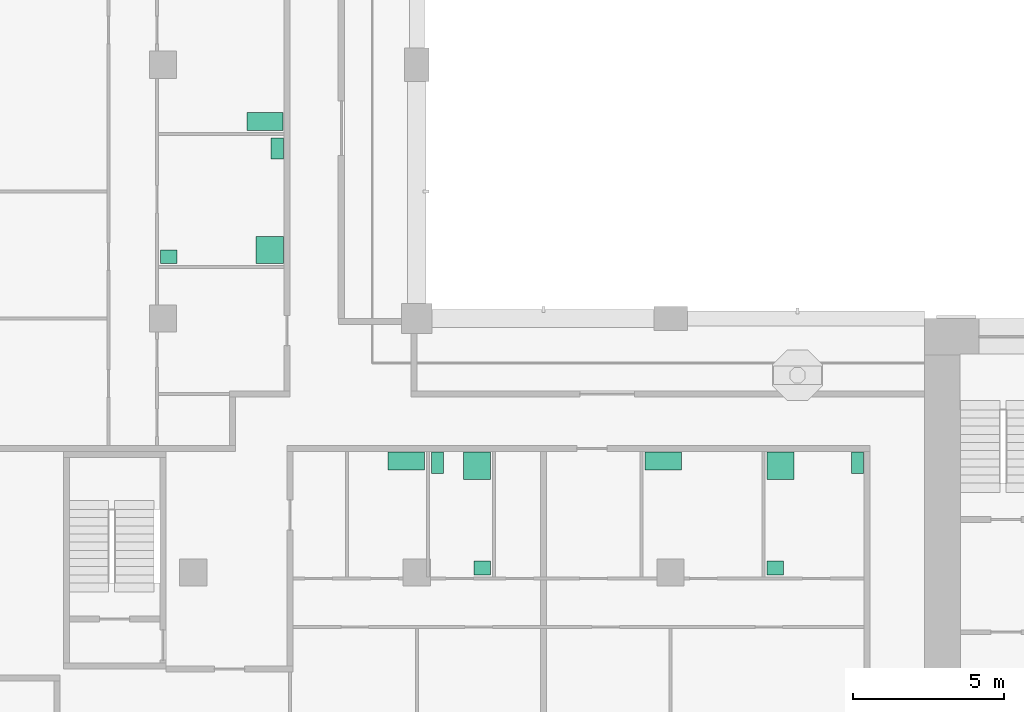
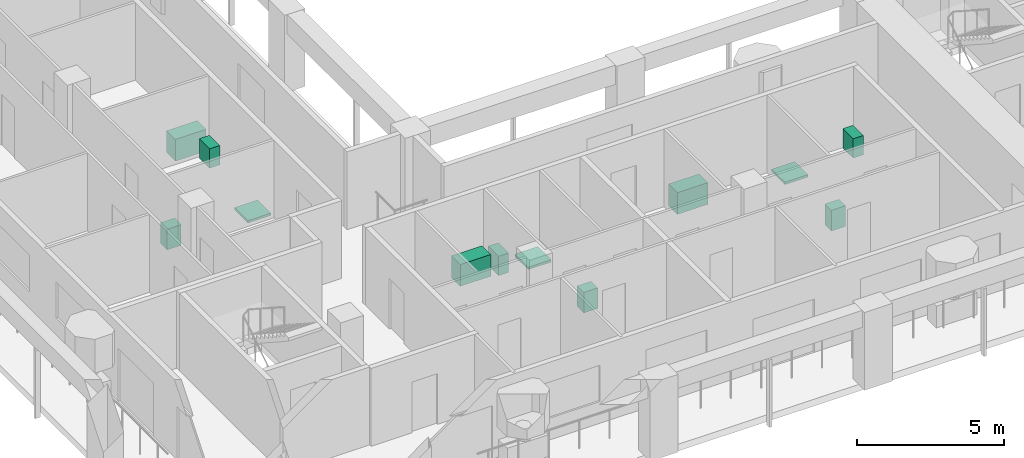
# One storey, part 9 of 11: 12 sanitary terminals.
"""IFC4 building model written with IfcOpenShell, lengths in metres."""

from ifc_helpers import new_model, si_unit, direction, frame, origin, origin_2d, place, context, subcontext, project, spatial, rectangle, extrude, material, element, save


model = new_model("IFC4")

# Units and contexts
model_context = context("Model", 3, precision=1e-05, world=origin(), true_north=direction((0.0, 1.0)))
body_context = subcontext(model_context, "Body", "Model", "MODEL_VIEW")
ifc_project = project(units=[si_unit("LENGTHUNIT", "METRE"), si_unit("AREAUNIT", "SQUARE_METRE"), si_unit("VOLUMEUNIT", "CUBIC_METRE"), si_unit("PLANEANGLEUNIT", "RADIAN"), si_unit("MASSUNIT", "GRAM", prefix="KILO")], contexts=[model_context])

# Site, building, storey
site_placement = place(None, origin())
site = spatial("IfcSite", under=ifc_project, at=site_placement, CompositionType="ELEMENT")
building_placement = place(site_placement, origin())
building = spatial("IfcBuilding", under=site, at=building_placement, Name="Vermilion Gate Residences", CompositionType="ELEMENT")
storey_placement = place(building_placement, frame((0.0, 0.0, 259.699951171875)))
storey = spatial("IfcBuildingStorey", under=building, at=storey_placement, Name="L68", CompositionType="ELEMENT", Elevation=259.699951171875)

# Sanitary terminals
ifc_material_1 = material(Name="Stainless steel", Category="steel")
sanitary_terminal_1_placement = place(storey_placement, frame((24.847900390625, 20.47998046875, 0.0), z_axis=(0.0, 0.0, 1.0), x_axis=(1.0, 0.0, 0.0)))
element("IfcSanitaryTerminal", 1, at=sanitary_terminal_1_placement, inside=storey, material=ifc_material_1, Name="Kitchen sink", PredefinedType="SINK", context=body_context, shape_type="SweptSolid", body=[
    extrude(rectangle(XDim=1.199951171875, YDim=0.60009765625, at=origin_2d()), origin(), (0.0, 0.0, 1.0), 0.89990234375),
])
ifc_material_2 = material(Name="Vitreous china")
sanitary_terminal_2_placement = place(storey_placement, frame((27.18798828125, 20.330078125, 0.0), z_axis=(0.0, 0.0, 1.0), x_axis=(1.0, 0.0, 0.0)))
element("IfcSanitaryTerminal", 2, at=sanitary_terminal_2_placement, inside=storey, material=ifc_material_2, Name="Shower tray", PredefinedType="SHOWER", context=body_context, shape_type="SweptSolid", body=[
    extrude(rectangle(XDim=0.89990234375, YDim=0.89990234375, at=origin_2d()), origin(), (0.0, 0.0, 1.0), 0.10009765625),
])
sanitary_terminal_3_placement = place(storey_placement, frame((25.887939453125, 20.429931640625, 0.0), z_axis=(0.0, 0.0, 1.0), x_axis=(1.0, 0.0, 0.0)))
element("IfcSanitaryTerminal", 3, at=sanitary_terminal_3_placement, inside=storey, material=ifc_material_2, Name="Toilet", PredefinedType="TOILETPAN", context=body_context, shape_type="SweptSolid", body=[
    extrude(rectangle(XDim=0.39990234375, YDim=0.699951171875, at=origin_2d()), origin(), (0.0, 0.0, 1.0), 0.800048828125),
])
sanitary_terminal_4_placement = place(storey_placement, frame((27.363037109375, 16.945068359375, 0.0), z_axis=(0.0, 0.0, 1.0), x_axis=(1.0, 0.0, 0.0)))
element("IfcSanitaryTerminal", 4, at=sanitary_terminal_4_placement, inside=storey, material=ifc_material_2, Name="Wash basin", PredefinedType="WASHHANDBASIN", context=body_context, shape_type="SweptSolid", body=[
    extrude(rectangle(XDim=0.550048828125, YDim=0.449951171875, at=origin_2d()), origin(), (0.0, 0.0, 1.0), 0.85009765625),
])
sanitary_terminal_5_placement = place(storey_placement, frame((33.35302734375, 20.47998046875, 0.0), z_axis=(0.0, 0.0, 1.0), x_axis=(1.0, 0.0, 0.0)))
element("IfcSanitaryTerminal", 5, at=sanitary_terminal_5_placement, inside=storey, material=ifc_material_1, Name="Kitchen sink", PredefinedType="SINK", context=body_context, shape_type="SweptSolid", body=[
    extrude(rectangle(XDim=1.199951171875, YDim=0.60009765625, at=origin_2d()), origin(), (0.0, 0.0, 1.0), 0.89990234375),
])
sanitary_terminal_6_placement = place(storey_placement, frame((37.237060546875, 20.330078125, 0.0), z_axis=(0.0, 0.0, 1.0), x_axis=(1.0, 0.0, 0.0)))
element("IfcSanitaryTerminal", 6, at=sanitary_terminal_6_placement, inside=storey, material=ifc_material_2, Name="Shower tray", PredefinedType="SHOWER", context=body_context, shape_type="SweptSolid", body=[
    extrude(rectangle(XDim=0.89990234375, YDim=0.89990234375, at=origin_2d()), origin(), (0.0, 0.0, 1.0), 0.10009765625),
])
sanitary_terminal_7_placement = place(storey_placement, frame((39.780029296875, 20.429931640625, 0.0), z_axis=(0.0, 0.0, 1.0), x_axis=(1.0, 0.0, 0.0)))
element("IfcSanitaryTerminal", 7, at=sanitary_terminal_7_placement, inside=storey, material=ifc_material_2, Name="Toilet", PredefinedType="TOILETPAN", context=body_context, shape_type="SweptSolid", body=[
    extrude(rectangle(XDim=0.39990234375, YDim=0.699951171875, at=origin_2d()), origin(), (0.0, 0.0, 1.0), 0.800048828125),
])
sanitary_terminal_8_placement = place(storey_placement, frame((37.06201171875, 16.945068359375, 0.0), z_axis=(0.0, 0.0, 1.0), x_axis=(1.0, 0.0, 0.0)))
element("IfcSanitaryTerminal", 8, at=sanitary_terminal_8_placement, inside=storey, material=ifc_material_2, Name="Wash basin", PredefinedType="WASHHANDBASIN", context=body_context, shape_type="SweptSolid", body=[
    extrude(rectangle(XDim=0.550048828125, YDim=0.449951171875, at=origin_2d()), origin(), (0.0, 0.0, 1.0), 0.85009765625),
])
sanitary_terminal_9_placement = place(storey_placement, frame((20.330078125, 27.469970703125, 0.0), z_axis=(0.0, 0.0, 1.0), x_axis=(1.0, 0.0, 0.0)))
element("IfcSanitaryTerminal", 9, at=sanitary_terminal_9_placement, inside=storey, material=ifc_material_2, Name="Shower tray", PredefinedType="SHOWER", context=body_context, shape_type="SweptSolid", body=[
    extrude(rectangle(XDim=0.89990234375, YDim=0.89990234375, at=origin_2d()), origin(), (0.0, 0.0, 1.0), 0.10009765625),
])
sanitary_terminal_10_placement = place(storey_placement, frame((20.580078125, 30.830078125, 0.0), z_axis=(0.0, 0.0, 1.0), x_axis=(1.0, 0.0, 0.0)))
element("IfcSanitaryTerminal", 10, at=sanitary_terminal_10_placement, inside=storey, material=ifc_material_2, Name="Toilet", PredefinedType="TOILETPAN", context=body_context, shape_type="SweptSolid", body=[
    extrude(rectangle(XDim=0.39990234375, YDim=0.699951171875, at=origin_2d()), origin(), (0.0, 0.0, 1.0), 0.800048828125),
])
sanitary_terminal_11_placement = place(storey_placement, frame((16.9951171875, 27.2451171875, 0.0), z_axis=(0.0, 0.0, 1.0), x_axis=(1.0, 0.0, 0.0)))
element("IfcSanitaryTerminal", 11, at=sanitary_terminal_11_placement, inside=storey, material=ifc_material_2, Name="Wash basin", PredefinedType="WASHHANDBASIN", context=body_context, shape_type="SweptSolid", body=[
    extrude(rectangle(XDim=0.550048828125, YDim=0.449951171875, at=origin_2d()), origin(), (0.0, 0.0, 1.0), 0.85009765625),
])
sanitary_terminal_12_placement = place(storey_placement, frame((20.179931640625, 31.719970703125, 0.0), z_axis=(0.0, 0.0, 1.0), x_axis=(1.0, 0.0, 0.0)))
element("IfcSanitaryTerminal", 12, at=sanitary_terminal_12_placement, inside=storey, material=ifc_material_1, Name="Kitchen sink", PredefinedType="SINK", context=body_context, shape_type="SweptSolid", body=[
    extrude(rectangle(XDim=1.199951171875, YDim=0.60009765625, at=origin_2d()), origin(), (0.0, 0.0, 1.0), 0.89990234375),
])

save(model, "model.ifc")
